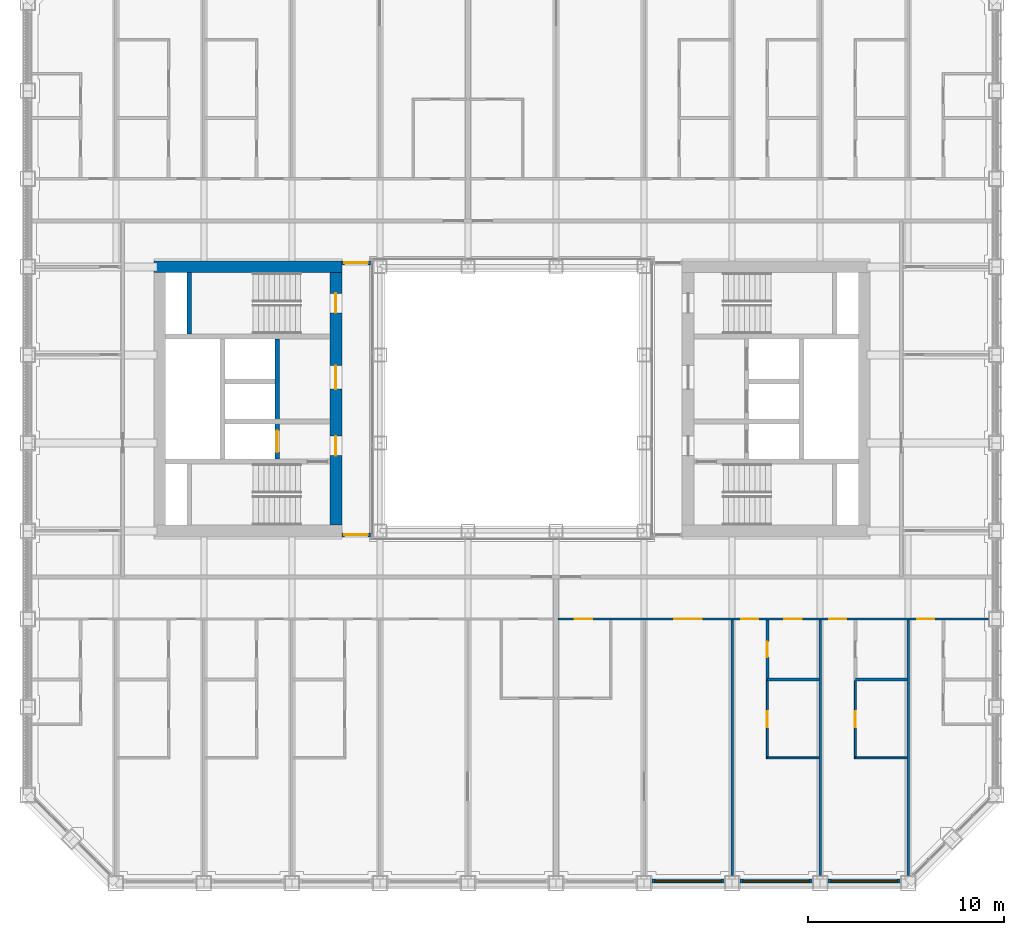
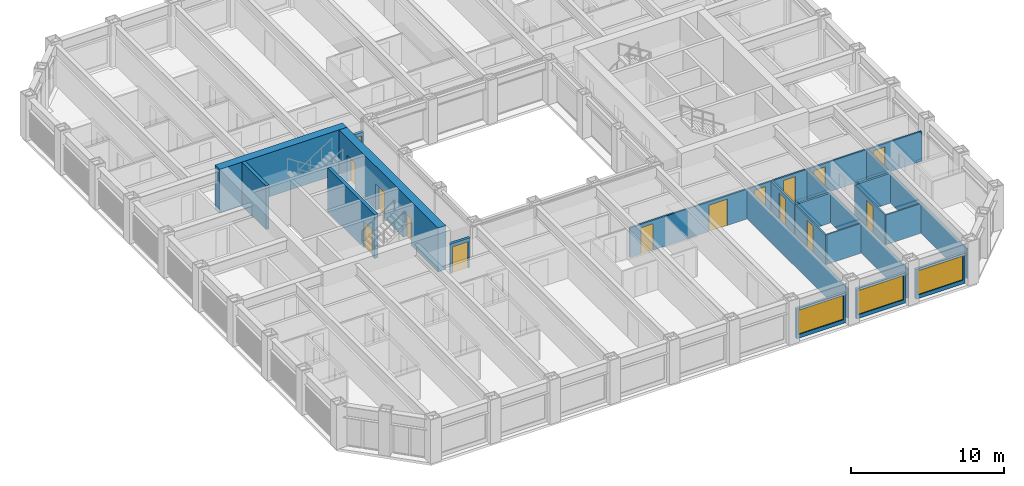
# One storey, part 11 of 21: 20 walls, 15 doors, 3 windows, 18 openings.
"""IFC4 building model written with IfcOpenShell, lengths in metres."""

from ifc_helpers import new_model, si_unit, direction, frame, frame_2d, origin, place, context, subcontext, project, spatial, rectangle, extrude, material, layer, layer_set, type_object, element, fill, save


model = new_model("IFC4")

# Units and contexts
model_context = context("Model", 3, precision=1e-05, world=origin(), true_north=direction((0.0, 1.0)))
body_context = subcontext(model_context, "Body", "Model", "MODEL_VIEW")
ifc_project = project(units=[si_unit("LENGTHUNIT", "METRE"), si_unit("AREAUNIT", "SQUARE_METRE"), si_unit("VOLUMEUNIT", "CUBIC_METRE"), si_unit("PLANEANGLEUNIT", "RADIAN"), si_unit("MASSUNIT", "GRAM", prefix="KILO")], contexts=[model_context])

# Site, building, storey
site_placement = place(None, origin())
site = spatial("IfcSite", under=ifc_project, at=site_placement, CompositionType="ELEMENT")
building_placement = place(site_placement, origin())
building = spatial("IfcBuilding", under=site, at=building_placement, Name="Msasa Ring Tower", CompositionType="ELEMENT")
storey_placement = place(building_placement, frame((0.0, 0.0, 86.0)))
storey = spatial("IfcBuildingStorey", under=building, at=storey_placement, Name="L22", CompositionType="ELEMENT", Elevation=86.0)

# Wall
ifc_material_1 = material(Name="Concrete C60/75", Category="concrete")
ifc_layer_1 = layer(ifc_material_1, 0.60009765625)
ifc_layer_set_1 = layer_set([ifc_layer_1], Name="CW1 CORE WALL 600")
wall_type_1 = type_object("IfcWallType", Name="CW1 CORE WALL 600", PredefinedType="SHEAR", material=ifc_layer_set_1)
wall_1_placement = place(storey_placement, frame((-8.699951171875, 6.75, 0.0), z_axis=(0.0, 0.0, 1.0), x_axis=(-1.0, 0.0, 0.0)))
element("IfcWall", 1, at=wall_1_placement, inside=storey, type_object=wall_type_1, Name="W core wall N L22", PredefinedType="SHEAR", context=body_context, shape_type="SweptSolid", body=[
    extrude(rectangle(XDim=9.60009765625, YDim=0.60009765625, at=frame_2d((4.800048828125, 0.0))), origin(), (0.0, 0.0, 1.0), 3.5),
])

# Wall, openings, doors
wall_2_placement = place(storey_placement, frame((-9.0, -6.449951171875, 0.0), z_axis=(0.0, 0.0, 1.0), x_axis=(0.0, 1.0, 0.0)))
wall_2 = element("IfcWall", 2, at=wall_2_placement, inside=storey, type_object=wall_type_1, Name="W core wall W L22", PredefinedType="SHEAR", context=body_context, shape_type="SweptSolid", body=[
    extrude(rectangle(XDim=12.89990234375, YDim=0.60009765625, at=frame_2d((6.449951171875, 0.0))), origin(), (0.0, 0.0, 1.0), 3.5),
])
opening_1_placement = place(wall_2_placement, frame((3.550048828125, 0.0, 0.0)))
opening_1 = element("IfcOpeningElement", 3, at=opening_1_placement, cuts=wall_2, Name="Opening RF-046", PredefinedType="OPENING", context=body_context, shape_type="SweptSolid", body=[
    extrude(rectangle(XDim=1.0, YDim=2.10009765625, at=frame_2d((0.5, 1.050048828125))), frame((0.0, 0.31005859375, 0.0), z_axis=(0.0, -1.0, 0.0), x_axis=(1.0, 0.0, 0.0)), (0.0, 0.0, 1.0), 0.6201171875),
])
opening_2_placement = place(wall_2_placement, frame((6.949951171875, 0.0, 0.0)))
opening_2 = element("IfcOpeningElement", 4, at=opening_2_placement, cuts=wall_2, Name="Opening RF-042", PredefinedType="OPENING", context=body_context, shape_type="SweptSolid", body=[
    extrude(rectangle(XDim=1.199951171875, YDim=2.10009765625, at=frame_2d((0.60009765625, 1.050048828125))), frame((0.0, 0.31005859375, 0.0), z_axis=(0.0, -1.0, 0.0), x_axis=(1.0, 0.0, 0.0)), (0.0, 0.0, 1.0), 0.6201171875),
])
opening_3_placement = place(wall_2_placement, frame((10.85009765625, 0.0, 0.0)))
opening_3 = element("IfcOpeningElement", 5, at=opening_3_placement, cuts=wall_2, Name="Opening RF-038", PredefinedType="OPENING", context=body_context, shape_type="SweptSolid", body=[
    extrude(rectangle(XDim=1.0, YDim=2.10009765625, at=frame_2d((0.5, 1.050048828125))), frame((0.0, 0.31005859375, 0.0), z_axis=(0.0, -1.0, 0.0), x_axis=(1.0, 0.0, 0.0)), (0.0, 0.0, 1.0), 0.6201171875),
])
ifc_material_2 = material(Name="Timber door leaf in a steel frame", Category="steel")
door_type_1 = type_object("IfcDoorType", Name="D26 WIDE SERVICE ROOM DOOR 1200x2100", OperationType="SINGLE_SWING_LEFT", PredefinedType="DOOR", material=ifc_material_2)
door_1_placement = place(opening_2_placement, origin())
door_1 = element("IfcDoor", 6, at=door_1_placement, inside=storey, type_object=door_type_1, Name="Door L22-WCR", OperationType="SINGLE_SWING_RIGHT", OverallHeight=2.10009765625, OverallWidth=1.199951171875, PredefinedType="DOOR", context=body_context, shape_type="SweptSolid", body=[
    extrude(rectangle(XDim=1.199951171875, YDim=2.10009765625, at=frame_2d((0.60009765625, 1.050048828125))), frame((0.0, 0.02490234375, 0.0), z_axis=(0.0, -1.0, 0.0), x_axis=(1.0, 0.0, 0.0)), (0.0, 0.0, 1.0), 0.050048828125),
])
fill(opening_2, door_1)
ifc_material_3 = material(Name="Timber door leaf in a steel frame", Category="steel")
door_type_2 = type_object("IfcDoorType", Name="D4 LOBBY DOOR 1000x2100", OperationType="SINGLE_SWING_LEFT", PredefinedType="DOOR", material=ifc_material_3)
door_2_placement = place(opening_1_placement, origin())
door_2 = element("IfcDoor", 7, at=door_2_placement, inside=storey, type_object=door_type_2, Name="Door L22-WFFL", OperationType="SINGLE_SWING_LEFT", OverallHeight=2.10009765625, OverallWidth=1.0, PredefinedType="DOOR", context=body_context, shape_type="SweptSolid", body=[
    extrude(rectangle(XDim=1.0, YDim=2.10009765625, at=frame_2d((0.5, 1.050048828125))), frame((0.0, 0.02490234375, 0.0), z_axis=(0.0, -1.0, 0.0), x_axis=(1.0, 0.0, 0.0)), (0.0, 0.0, 1.0), 0.050048828125),
])
fill(opening_1, door_2)
ifc_material_4 = material(Name="Timber door leaf in a steel frame", Category="steel")
door_type_3 = type_object("IfcDoorType", Name="D6 STAIR DOOR 1000x2100", OperationType="SINGLE_SWING_LEFT", PredefinedType="DOOR", material=ifc_material_4)
door_3_placement = place(opening_3_placement, origin())
door_3 = element("IfcDoor", 8, at=door_3_placement, inside=storey, type_object=door_type_3, Name="Door L22-WSTB", OperationType="SINGLE_SWING_RIGHT", OverallHeight=2.10009765625, OverallWidth=1.0, PredefinedType="DOOR", context=body_context, shape_type="SweptSolid", body=[
    extrude(rectangle(XDim=1.0, YDim=2.10009765625, at=frame_2d((0.5, 1.050048828125))), frame((0.0, 0.02490234375, 0.0), z_axis=(0.0, -1.0, 0.0), x_axis=(1.0, 0.0, 0.0)), (0.0, 0.0, 1.0), 0.050048828125),
])
fill(opening_3, door_3)

# Wall
ifc_material_5 = material(Name="Concrete C60/75", Category="concrete")
ifc_layer_2 = layer(ifc_material_5, 0.25)
ifc_layer_set_2 = layer_set([ifc_layer_2], Name="CW4 CORE INNER WALL 250")
wall_type_2 = type_object("IfcWallType", Name="CW4 CORE INNER WALL 250", PredefinedType="SHEAR", material=ifc_layer_set_2)
wall_3_placement = place(storey_placement, frame((-16.5, 3.324951171875, 0.0), z_axis=(0.0, 0.0, 1.0), x_axis=(0.0, 1.0, 0.0)))
element("IfcWall", 9, at=wall_3_placement, inside=storey, type_object=wall_type_2, Name="W core wall RISERB L22", PredefinedType="SHEAR", context=body_context, shape_type="SweptSolid", body=[
    extrude(rectangle(XDim=3.125, YDim=0.25, at=frame_2d((1.5625, 0.0))), origin(), (0.0, 0.0, 1.0), 3.5),
])

# Wall, opening, door
wall_4_placement = place(storey_placement, frame((-12.0, -3.074951171875, 0.0), z_axis=(0.0, 0.0, 1.0), x_axis=(0.0, 1.0, 0.0)))
wall_4 = element("IfcWall", 10, at=wall_4_placement, inside=storey, type_object=wall_type_2, Name="W core wall LOBBY L22", PredefinedType="SHEAR", context=body_context, shape_type="SweptSolid", body=[
    extrude(rectangle(XDim=6.14990234375, YDim=0.25, at=frame_2d((3.074951171875, 0.0))), origin(), (0.0, 0.0, 1.0), 3.5),
])
opening_4_placement = place(wall_4_placement, frame((0.35009765625, 0.0, 0.0)))
opening_4 = element("IfcOpeningElement", 11, at=opening_4_placement, cuts=wall_4, Name="Opening LD1", PredefinedType="OPENING", context=body_context, shape_type="SweptSolid", body=[
    extrude(rectangle(XDim=1.10009765625, YDim=2.10009765625, at=frame_2d((0.550048828125, 1.050048828125))), frame((0.0, 0.135009765625, 0.0), z_axis=(0.0, -1.0, 0.0), x_axis=(1.0, 0.0, 0.0)), (0.0, 0.0, 1.0), 0.27001953125),
])
ifc_material_6 = material(Name="Stainless steel lift landing door", Category="steel")
door_type_4 = type_object("IfcDoorType", Name="LD1 LIFT LANDING DOOR 1100x2100", OperationType="DOUBLE_DOOR_SLIDING", PredefinedType="DOOR", material=ifc_material_6)
door_4_placement = place(opening_4_placement, origin())
door_4 = element("IfcDoor", 12, at=door_4_placement, inside=storey, type_object=door_type_4, Name="Lift landing door FL-W L22", OperationType="DOUBLE_DOOR_SLIDING", OverallHeight=2.10009765625, OverallWidth=1.10009765625, PredefinedType="DOOR", context=body_context, shape_type="SweptSolid", body=[
    extrude(rectangle(XDim=1.10009765625, YDim=2.10009765625, at=frame_2d((0.550048828125, 1.050048828125))), frame((0.0, 0.02490234375, 0.0), z_axis=(0.0, -1.0, 0.0), x_axis=(1.0, 0.0, 0.0)), (0.0, 0.0, 1.0), 0.050048828125),
])
fill(opening_4, door_4)

# Wall, opening, window
ifc_material_7 = material(Name="Terracotta rainscreen on blockwork", Category="masonry")
ifc_layer_3 = layer(ifc_material_7, 0.199951171875)
ifc_layer_set_3 = layer_set([ifc_layer_3], Name="FW1 TERRACOTTA-LINED INFILL BAY WALL 200")
wall_type_3 = type_object("IfcWallType", Name="FW1 TERRACOTTA-LINED INFILL BAY WALL 200", PredefinedType="SOLIDWALL", material=ifc_layer_set_3)
wall_5_placement = place(storey_placement, frame((7.155029296875, -24.64990234375, 0.0), z_axis=(0.0, 0.0, 1.0), x_axis=(1.0, 0.0, 0.0)))
wall_5 = element("IfcWall", 13, at=wall_5_placement, inside=storey, type_object=wall_type_3, Name="Infill bay wall S L22 06", PredefinedType="SOLIDWALL", context=body_context, shape_type="SweptSolid", body=[
    extrude(rectangle(XDim=3.68994140625, YDim=0.199951171875, at=frame_2d((1.844970703125, 0.0))), origin(), (0.0, 0.0, 1.0), 2.37890625),
])
opening_5_placement = place(wall_5_placement, frame((0.14501953125, 0.0, 0.300048828125)))
opening_5 = element("IfcOpeningElement", 14, at=opening_5_placement, cuts=wall_5, Name="Opening WN1", PredefinedType="OPENING", context=body_context, shape_type="SweptSolid", body=[
    extrude(rectangle(XDim=3.39990234375, YDim=1.928955078125, at=frame_2d((1.699951171875, 0.96435546875))), frame((0.0, 0.10986328125, 0.0), z_axis=(0.0, -1.0, 0.0), x_axis=(1.0, 0.0, 0.0)), (0.0, 0.0, 1.0), 0.219970703125),
])
ifc_material_8 = material(Name="Aluminium frame with clear glass", Category="aluminium")
window_type = type_object("IfcWindowType", Name="WN1 RESIDENCE WINDOW 3400x1929", PartitioningType="SINGLE_PANEL", PredefinedType="WINDOW", material=ifc_material_8)
window_1_placement = place(opening_5_placement, origin())
window_1 = element("IfcWindow", 15, at=window_1_placement, inside=storey, type_object=window_type, Name="Window S L22 06", OverallHeight=1.928955078125, OverallWidth=3.39990234375, PartitioningType="SINGLE_PANEL", PredefinedType="WINDOW", context=body_context, shape_type="SweptSolid", body=[
    extrude(rectangle(XDim=3.39990234375, YDim=1.928955078125, at=frame_2d((1.699951171875, 0.96435546875))), frame((0.0, 0.030029296875, 0.0), z_axis=(0.0, -1.0, 0.0), x_axis=(1.0, 0.0, 0.0)), (0.0, 0.0, 1.0), 0.06005859375),
])
fill(opening_5, window_1)

wall_6_placement = place(storey_placement, frame((11.655029296875, -24.64990234375, 0.0), z_axis=(0.0, 0.0, 1.0), x_axis=(1.0, 0.0, 0.0)))
wall_6 = element("IfcWall", 16, at=wall_6_placement, inside=storey, type_object=wall_type_3, Name="Infill bay wall S L22 07", PredefinedType="SOLIDWALL", context=body_context, shape_type="SweptSolid", body=[
    extrude(rectangle(XDim=3.68994140625, YDim=0.199951171875, at=frame_2d((1.844970703125, 0.0))), origin(), (0.0, 0.0, 1.0), 2.37890625),
])
opening_6_placement = place(wall_6_placement, frame((0.14501953125, 0.0, 0.300048828125)))
opening_6 = element("IfcOpeningElement", 17, at=opening_6_placement, cuts=wall_6, Name="Opening WN1", PredefinedType="OPENING", context=body_context, shape_type="SweptSolid", body=[
    extrude(rectangle(XDim=3.39990234375, YDim=1.928955078125, at=frame_2d((1.699951171875, 0.96435546875))), frame((0.0, 0.10986328125, 0.0), z_axis=(0.0, -1.0, 0.0), x_axis=(1.0, 0.0, 0.0)), (0.0, 0.0, 1.0), 0.219970703125),
])
window_2_placement = place(opening_6_placement, origin())
window_2 = element("IfcWindow", 18, at=window_2_placement, inside=storey, type_object=window_type, Name="Window S L22 07", OverallHeight=1.928955078125, OverallWidth=3.39990234375, PartitioningType="SINGLE_PANEL", PredefinedType="WINDOW", context=body_context, shape_type="SweptSolid", body=[
    extrude(rectangle(XDim=3.39990234375, YDim=1.928955078125, at=frame_2d((1.699951171875, 0.96435546875))), frame((0.0, 0.030029296875, 0.0), z_axis=(0.0, -1.0, 0.0), x_axis=(1.0, 0.0, 0.0)), (0.0, 0.0, 1.0), 0.06005859375),
])
fill(opening_6, window_2)

wall_7_placement = place(storey_placement, frame((16.155029296875, -24.64990234375, 0.0), z_axis=(0.0, 0.0, 1.0), x_axis=(1.0, 0.0, 0.0)))
wall_7 = element("IfcWall", 19, at=wall_7_placement, inside=storey, type_object=wall_type_3, Name="Infill bay wall S L22 08", PredefinedType="SOLIDWALL", context=body_context, shape_type="SweptSolid", body=[
    extrude(rectangle(XDim=3.68994140625, YDim=0.199951171875, at=frame_2d((1.844970703125, 0.0))), origin(), (0.0, 0.0, 1.0), 2.37890625),
])
opening_7_placement = place(wall_7_placement, frame((0.14501953125, 0.0, 0.300048828125)))
opening_7 = element("IfcOpeningElement", 20, at=opening_7_placement, cuts=wall_7, Name="Opening WN1", PredefinedType="OPENING", context=body_context, shape_type="SweptSolid", body=[
    extrude(rectangle(XDim=3.39990234375, YDim=1.928955078125, at=frame_2d((1.699951171875, 0.96435546875))), frame((0.0, 0.10986328125, 0.0), z_axis=(0.0, -1.0, 0.0), x_axis=(1.0, 0.0, 0.0)), (0.0, 0.0, 1.0), 0.219970703125),
])
window_3_placement = place(opening_7_placement, origin())
window_3 = element("IfcWindow", 21, at=window_3_placement, inside=storey, type_object=window_type, Name="Window S L22 08", OverallHeight=1.928955078125, OverallWidth=3.39990234375, PartitioningType="SINGLE_PANEL", PredefinedType="WINDOW", context=body_context, shape_type="SweptSolid", body=[
    extrude(rectangle(XDim=3.39990234375, YDim=1.928955078125, at=frame_2d((1.699951171875, 0.96435546875))), frame((0.0, 0.030029296875, 0.0), z_axis=(0.0, -1.0, 0.0), x_axis=(1.0, 0.0, 0.0)), (0.0, 0.0, 1.0), 0.06005859375),
])
fill(opening_7, window_3)

# Wall, opening, door
ifc_material_9 = material(Name="Concrete blockwork", Category="masonry")
ifc_layer_4 = layer(ifc_material_9, 0.199951171875)
ifc_layer_set_4 = layer_set([ifc_layer_4], Name="PT1 CORRIDOR WALL 200")
wall_type_4 = type_object("IfcWallType", Name="PT1 CORRIDOR WALL 200", PredefinedType="PARTITIONING", material=ifc_layer_set_4)
wall_8_placement = place(storey_placement, frame((-8.699951171875, 6.949951171875, 0.0), z_axis=(0.0, 0.0, 1.0), x_axis=(1.0, 0.0, 0.0)))
wall_8 = element("IfcWall", 22, at=wall_8_placement, inside=storey, type_object=wall_type_4, Name="Corridor wall L22-SDWN", PredefinedType="PARTITIONING", context=body_context, shape_type="SweptSolid", body=[
    extrude(rectangle(XDim=1.469970703125, YDim=0.199951171875, at=frame_2d((0.73486328125, 0.0))), origin(), (0.0, 0.0, 1.0), 2.373291015625),
])
opening_8_placement = place(wall_8_placement, frame((0.135009765625, 0.0, 0.0)))
opening_8 = element("IfcOpeningElement", 23, at=opening_8_placement, cuts=wall_8, Name="Opening RF-034", PredefinedType="OPENING", context=body_context, shape_type="SweptSolid", body=[
    extrude(rectangle(XDim=1.199951171875, YDim=2.10009765625, at=frame_2d((0.60009765625, 1.050048828125))), frame((0.0, 0.10986328125, 0.0), z_axis=(0.0, -1.0, 0.0), x_axis=(1.0, 0.0, 0.0)), (0.0, 0.0, 1.0), 0.219970703125),
])
ifc_material_10 = material(Name="Timber door leaf in a steel frame", Category="steel")
door_type_5 = type_object("IfcDoorType", Name="D25 CORRIDOR PAIR OF SMOKE DOORS 1200x2100", OperationType="DOUBLE_DOOR_DOUBLE_SWING", PredefinedType="DOOR", material=ifc_material_10)
door_5_placement = place(opening_8_placement, origin())
door_5 = element("IfcDoor", 24, at=door_5_placement, inside=storey, type_object=door_type_5, Name="Door L22-SDWN", OperationType="DOUBLE_DOOR_DOUBLE_SWING", OverallHeight=2.10009765625, OverallWidth=1.199951171875, PredefinedType="DOOR", context=body_context, shape_type="SweptSolid", body=[
    extrude(rectangle(XDim=1.199951171875, YDim=2.10009765625, at=frame_2d((0.60009765625, 1.050048828125))), frame((0.0, 0.02490234375, 0.0), z_axis=(0.0, -1.0, 0.0), x_axis=(1.0, 0.0, 0.0)), (0.0, 0.0, 1.0), 0.050048828125),
])
fill(opening_8, door_5)

wall_9_placement = place(storey_placement, frame((-8.699951171875, -6.949951171875, 0.0), z_axis=(0.0, 0.0, 1.0), x_axis=(1.0, 0.0, 0.0)))
wall_9 = element("IfcWall", 25, at=wall_9_placement, inside=storey, type_object=wall_type_4, Name="Corridor wall L22-SDWS", PredefinedType="PARTITIONING", context=body_context, shape_type="SweptSolid", body=[
    extrude(rectangle(XDim=1.469970703125, YDim=0.199951171875, at=frame_2d((0.73486328125, 0.0))), origin(), (0.0, 0.0, 1.0), 2.373291015625),
])
opening_9_placement = place(wall_9_placement, frame((0.135009765625, 0.0, 0.0)))
opening_9 = element("IfcOpeningElement", 26, at=opening_9_placement, cuts=wall_9, Name="Opening RF-052", PredefinedType="OPENING", context=body_context, shape_type="SweptSolid", body=[
    extrude(rectangle(XDim=1.199951171875, YDim=2.10009765625, at=frame_2d((0.60009765625, 1.050048828125))), frame((0.0, 0.10986328125, 0.0), z_axis=(0.0, -1.0, 0.0), x_axis=(1.0, 0.0, 0.0)), (0.0, 0.0, 1.0), 0.219970703125),
])
door_6_placement = place(opening_9_placement, origin())
door_6 = element("IfcDoor", 27, at=door_6_placement, inside=storey, type_object=door_type_5, Name="Door L22-SDWS", OperationType="DOUBLE_DOOR_DOUBLE_SWING", OverallHeight=2.10009765625, OverallWidth=1.199951171875, PredefinedType="DOOR", context=body_context, shape_type="SweptSolid", body=[
    extrude(rectangle(XDim=1.199951171875, YDim=2.10009765625, at=frame_2d((0.60009765625, 1.050048828125))), frame((0.0, 0.02490234375, 0.0), z_axis=(0.0, -1.0, 0.0), x_axis=(1.0, 0.0, 0.0)), (0.0, 0.0, 1.0), 0.050048828125),
])
fill(opening_9, door_6)

ifc_material_11 = material(Name="Gypsum board on steel studs", Category="steel")
ifc_layer_5 = layer(ifc_material_11, 0.10009765625)
ifc_layer_set_5 = layer_set([ifc_layer_5], Name="PT2 STUD PARTITION 100")
wall_type_5 = type_object("IfcWallType", Name="PT2 STUD PARTITION 100", PredefinedType="PARTITIONING", material=ifc_layer_set_5)
wall_10_placement = place(storey_placement, frame((13.050048828125, -18.403076171875, 0.0), z_axis=(0.0, 0.0, 1.0), x_axis=(0.0, 1.0, 0.0)))
wall_10 = element("IfcWall", 28, at=wall_10_placement, inside=storey, type_object=wall_type_5, Name="Partition L22-VSEWX1", PredefinedType="PARTITIONING", context=body_context, shape_type="SweptSolid", body=[
    extrude(rectangle(XDim=4.003173828125, YDim=0.10009765625, at=frame_2d((2.00146484375, 0.0))), origin(), (0.0, 0.0, 1.0), 2.373291015625),
])
opening_10_placement = place(wall_10_placement, frame((1.626708984375, 0.0, 0.0)))
opening_10 = element("IfcOpeningElement", 29, at=opening_10_placement, cuts=wall_10, Name="Opening RF-083", PredefinedType="OPENING", context=body_context, shape_type="SweptSolid", body=[
    extrude(rectangle(XDim=0.800048828125, YDim=2.10009765625, at=frame_2d((0.39990234375, 1.050048828125))), frame((0.0, 0.06005859375, 0.0), z_axis=(0.0, -1.0, 0.0), x_axis=(1.0, 0.0, 0.0)), (0.0, 0.0, 1.0), 0.1201171875),
])
ifc_material_12 = material(Name="Timber door leaf in a steel frame", Category="steel")
door_type_6 = type_object("IfcDoorType", Name="D60 DRESSING ROOM DOOR 800x2100", OperationType="SINGLE_SWING_LEFT", PredefinedType="DOOR", material=ifc_material_12)
door_7_placement = place(opening_10_placement, origin())
door_7 = element("IfcDoor", 30, at=door_7_placement, inside=storey, type_object=door_type_6, Name="Door L22-VSEW1", OperationType="SINGLE_SWING_LEFT", OverallHeight=2.10009765625, OverallWidth=0.800048828125, PredefinedType="DOOR", context=body_context, shape_type="SweptSolid", body=[
    extrude(rectangle(XDim=0.800048828125, YDim=2.10009765625, at=frame_2d((0.39990234375, 1.050048828125))), frame((0.0, 0.02490234375, 0.0), z_axis=(0.0, -1.0, 0.0), x_axis=(1.0, 0.0, 0.0)), (0.0, 0.0, 1.0), 0.050048828125),
])
fill(opening_10, door_7)

# Wall
wall_11_placement = place(storey_placement, frame((13.050048828125, -18.35302734375, 0.0), z_axis=(0.0, 0.0, 1.0), x_axis=(1.0, 0.0, 0.0)))
element("IfcWall", 31, at=wall_11_placement, inside=storey, type_object=wall_type_5, Name="Partition L22-VSEWY1", PredefinedType="PARTITIONING", context=body_context, shape_type="SweptSolid", body=[
    extrude(rectangle(XDim=2.639892578125, YDim=0.10009765625, at=frame_2d((1.31982421875, 0.0))), origin(), (0.0, 0.0, 1.0), 2.373291015625),
])

# Wall, opening, door
wall_12_placement = place(storey_placement, frame((17.550048828125, -18.400390625, 0.0), z_axis=(0.0, 0.0, 1.0), x_axis=(0.0, 1.0, 0.0)))
wall_12 = element("IfcWall", 32, at=wall_12_placement, inside=storey, type_object=wall_type_5, Name="Partition L22-VSEWX2", PredefinedType="PARTITIONING", context=body_context, shape_type="SweptSolid", body=[
    extrude(rectangle(XDim=4.00048828125, YDim=0.10009765625, at=frame_2d((2.000244140625, 0.0))), origin(), (0.0, 0.0, 1.0), 2.373291015625),
])
opening_11_placement = place(wall_12_placement, frame((1.625244140625, 0.0, 0.0)))
opening_11 = element("IfcOpeningElement", 33, at=opening_11_placement, cuts=wall_12, Name="Opening RF-084", PredefinedType="OPENING", context=body_context, shape_type="SweptSolid", body=[
    extrude(rectangle(XDim=0.800048828125, YDim=2.10009765625, at=frame_2d((0.39990234375, 1.050048828125))), frame((0.0, 0.06005859375, 0.0), z_axis=(0.0, -1.0, 0.0), x_axis=(1.0, 0.0, 0.0)), (0.0, 0.0, 1.0), 0.1201171875),
])
door_8_placement = place(opening_11_placement, origin())
door_8 = element("IfcDoor", 34, at=door_8_placement, inside=storey, type_object=door_type_6, Name="Door L22-VSEW2", OperationType="SINGLE_SWING_LEFT", OverallHeight=2.10009765625, OverallWidth=0.800048828125, PredefinedType="DOOR", context=body_context, shape_type="SweptSolid", body=[
    extrude(rectangle(XDim=0.800048828125, YDim=2.10009765625, at=frame_2d((0.39990234375, 1.050048828125))), frame((0.0, 0.02490234375, 0.0), z_axis=(0.0, -1.0, 0.0), x_axis=(1.0, 0.0, 0.0)), (0.0, 0.0, 1.0), 0.050048828125),
])
fill(opening_11, door_8)

# Wall
wall_13_placement = place(storey_placement, frame((17.550048828125, -18.350341796875, 0.0), z_axis=(0.0, 0.0, 1.0), x_axis=(1.0, 0.0, 0.0)))
element("IfcWall", 35, at=wall_13_placement, inside=storey, type_object=wall_type_5, Name="Partition L22-VSEWY2", PredefinedType="PARTITIONING", context=body_context, shape_type="SweptSolid", body=[
    extrude(rectangle(XDim=2.639892578125, YDim=0.10009765625, at=frame_2d((1.31982421875, 0.0))), origin(), (0.0, 0.0, 1.0), 2.373291015625),
])

# Wall, opening, door
ifc_material_13 = material(Name="Moisture-resistant board on steel studs with a concealed cistern and pipe void, tiled", Category="steel")
ifc_layer_6 = layer(ifc_material_13, 0.14990234375)
ifc_layer_set_6 = layer_set([ifc_layer_6], Name="PT4 BATHROOM WET WALL 150")
wall_type_6 = type_object("IfcWallType", Name="PT4 BATHROOM WET WALL 150", PredefinedType="PARTITIONING", material=ifc_layer_set_6)
wall_14_placement = place(storey_placement, frame((13.050048828125, -14.39990234375, 0.0), z_axis=(0.0, 0.0, 1.0), x_axis=(0.0, 1.0, 0.0)))
wall_14 = element("IfcWall", 36, at=wall_14_placement, inside=storey, type_object=wall_type_6, Name="Partition L22-VSEBX1", PredefinedType="PARTITIONING", context=body_context, shape_type="SweptSolid", body=[
    extrude(rectangle(XDim=3.08740234375, YDim=0.14990234375, at=frame_2d((1.543701171875, 0.0))), origin(), (0.0, 0.0, 1.0), 2.373291015625),
])
opening_12_placement = place(wall_14_placement, frame((1.199951171875, 0.0, 0.0)))
opening_12 = element("IfcOpeningElement", 37, at=opening_12_placement, cuts=wall_14, Name="Opening RF-073", PredefinedType="OPENING", context=body_context, shape_type="SweptSolid", body=[
    extrude(rectangle(XDim=0.800048828125, YDim=2.10009765625, at=frame_2d((0.39990234375, 1.050048828125))), frame((0.0, 0.0849609375, 0.0), z_axis=(0.0, -1.0, 0.0), x_axis=(1.0, 0.0, 0.0)), (0.0, 0.0, 1.0), 0.169921875),
])
ifc_material_14 = material(Name="Timber door leaf in a steel frame", Category="steel")
door_type_7 = type_object("IfcDoorType", Name="D21 POCKET SLIDING BATHROOM DOOR 800x2100", OperationType="SINGLE_SWING_LEFT", PredefinedType="DOOR", material=ifc_material_14)
door_9_placement = place(opening_12_placement, origin())
door_9 = element("IfcDoor", 38, at=door_9_placement, inside=storey, type_object=door_type_7, Name="Door L22-VSEB1", OperationType="SINGLE_SWING_RIGHT", OverallHeight=2.10009765625, OverallWidth=0.800048828125, PredefinedType="DOOR", context=body_context, shape_type="SweptSolid", body=[
    extrude(rectangle(XDim=0.800048828125, YDim=2.10009765625, at=frame_2d((0.39990234375, 1.050048828125))), frame((0.0, 0.02490234375, 0.0), z_axis=(0.0, -1.0, 0.0), x_axis=(1.0, 0.0, 0.0)), (0.0, 0.0, 1.0), 0.050048828125),
])
fill(opening_12, door_9)

# Walls
for number, where, z_axis, x_axis, name in (
    (39, (13.050048828125, -14.35009765625, 0.0), (0.0, 0.0, 1.0), (1.0, 0.0, 0.0), "Partition L22-VSEBY1"),
    (40, (17.550048828125, -14.35009765625, 0.0), (0.0, 0.0, 1.0), (1.0, 0.0, 0.0), "Partition L22-VSEBY2"),
):
    element("IfcWall", number, at=place(storey_placement, frame(where, z_axis=z_axis, x_axis=x_axis)), inside=storey, type_object=wall_type_6, Name=name, PredefinedType="PARTITIONING", context=body_context, shape_type="SweptSolid", body=[
        extrude(rectangle(XDim=2.639892578125, YDim=0.14990234375, at=frame_2d((1.31982421875, 0.0))), origin(), (0.0, 0.0, 1.0), 2.373291015625),
    ])

# Wall, openings, doors
ifc_material_15 = material(Name="Two layers of acoustic board each face on steel studs, mineral wool", Category="steel")
ifc_layer_7 = layer(ifc_material_15, 0.125)
ifc_layer_set_7 = layer_set([ifc_layer_7], Name="PT6 ACOUSTIC DOUBLE-BOARD PARTITION 125")
wall_type_7 = type_object("IfcWallType", Name="PT6 ACOUSTIC DOUBLE-BOARD PARTITION 125", PredefinedType="PARTITIONING", material=ifc_layer_set_7)
wall_15_placement = place(storey_placement, frame((2.35009765625, -11.25, 0.0), z_axis=(0.0, 0.0, 1.0), x_axis=(1.0, 0.0, 0.0)))
wall_15 = element("IfcWall", 41, at=wall_15_placement, inside=storey, type_object=wall_type_7, Name="Partition L22-VSEHY", PredefinedType="PARTITIONING", context=body_context, shape_type="SweptSolid", body=[
    extrude(rectangle(XDim=22.0, YDim=0.125, at=frame_2d((11.0, 0.0))), origin(), (0.0, 0.0, 1.0), 2.373291015625),
])
opening_13_placement = place(wall_15_placement, frame((0.85009765625, 0.0, 0.0)))
opening_13 = element("IfcOpeningElement", 42, at=opening_13_placement, cuts=wall_15, Name="Opening RF-063", PredefinedType="OPENING", context=body_context, shape_type="SweptSolid", body=[
    extrude(rectangle(XDim=0.89990234375, YDim=2.10009765625, at=frame_2d((0.449951171875, 1.050048828125))), frame((0.0, 0.072509765625, 0.0), z_axis=(0.0, -1.0, 0.0), x_axis=(1.0, 0.0, 0.0)), (0.0, 0.0, 1.0), 0.14501953125),
])
opening_14_placement = place(wall_15_placement, frame((5.949951171875, 0.0, 0.0)))
opening_14 = element("IfcOpeningElement", 43, at=opening_14_placement, cuts=wall_15, Name="Opening RF-064", PredefinedType="OPENING", context=body_context, shape_type="SweptSolid", body=[
    extrude(rectangle(XDim=1.39990234375, YDim=2.10009765625, at=frame_2d((0.699951171875, 1.050048828125))), frame((0.0, 0.072509765625, 0.0), z_axis=(0.0, -1.0, 0.0), x_axis=(1.0, 0.0, 0.0)), (0.0, 0.0, 1.0), 0.14501953125),
])
opening_15_placement = place(wall_15_placement, frame((9.375, 0.0, 0.0)))
opening_15 = element("IfcOpeningElement", 44, at=opening_15_placement, cuts=wall_15, Name="Opening RF-065", PredefinedType="OPENING", context=body_context, shape_type="SweptSolid", body=[
    extrude(rectangle(XDim=0.85009765625, YDim=2.10009765625, at=frame_2d((0.425048828125, 1.050048828125))), frame((0.0, 0.072509765625, 0.0), z_axis=(0.0, -1.0, 0.0), x_axis=(1.0, 0.0, 0.0)), (0.0, 0.0, 1.0), 0.14501953125),
])
opening_16_placement = place(wall_15_placement, frame((11.570068359375, 0.0, 0.0)))
opening_16 = element("IfcOpeningElement", 45, at=opening_16_placement, cuts=wall_15, Name="Opening RF-066", PredefinedType="OPENING", context=body_context, shape_type="SweptSolid", body=[
    extrude(rectangle(XDim=0.89990234375, YDim=2.10009765625, at=frame_2d((0.449951171875, 1.050048828125))), frame((0.0, 0.072509765625, 0.0), z_axis=(0.0, -1.0, 0.0), x_axis=(1.0, 0.0, 0.0)), (0.0, 0.0, 1.0), 0.14501953125),
])
opening_17_placement = place(wall_15_placement, frame((13.875, 0.0, 0.0)))
opening_17 = element("IfcOpeningElement", 46, at=opening_17_placement, cuts=wall_15, Name="Opening RF-067", PredefinedType="OPENING", context=body_context, shape_type="SweptSolid", body=[
    extrude(rectangle(XDim=0.85009765625, YDim=2.10009765625, at=frame_2d((0.425048828125, 1.050048828125))), frame((0.0, 0.072509765625, 0.0), z_axis=(0.0, -1.0, 0.0), x_axis=(1.0, 0.0, 0.0)), (0.0, 0.0, 1.0), 0.14501953125),
])
opening_18_placement = place(wall_15_placement, frame((18.375, 0.0, 0.0)))
opening_18 = element("IfcOpeningElement", 47, at=opening_18_placement, cuts=wall_15, Name="Opening RF-068", PredefinedType="OPENING", context=body_context, shape_type="SweptSolid", body=[
    extrude(rectangle(XDim=0.85009765625, YDim=2.10009765625, at=frame_2d((0.425048828125, 1.050048828125))), frame((0.0, 0.072509765625, 0.0), z_axis=(0.0, -1.0, 0.0), x_axis=(1.0, 0.0, 0.0)), (0.0, 0.0, 1.0), 0.14501953125),
])
ifc_material_16 = material(Name="Timber door leaf in a steel frame", Category="steel")
door_type_8 = type_object("IfcDoorType", Name="D14 BEDROOM DOOR 850x2100", OperationType="SINGLE_SWING_LEFT", PredefinedType="DOOR", material=ifc_material_16)
door_10_placement = place(opening_15_placement, origin())
door_10 = element("IfcDoor", 48, at=door_10_placement, inside=storey, type_object=door_type_8, Name="Door L22-VSER1", OperationType="SINGLE_SWING_LEFT", OverallHeight=2.10009765625, OverallWidth=0.85009765625, PredefinedType="DOOR", context=body_context, shape_type="SweptSolid", body=[
    extrude(rectangle(XDim=0.85009765625, YDim=2.10009765625, at=frame_2d((0.425048828125, 1.050048828125))), frame((0.0, 0.02490234375, 0.0), z_axis=(0.0, -1.0, 0.0), x_axis=(1.0, 0.0, 0.0)), (0.0, 0.0, 1.0), 0.050048828125),
])
fill(opening_15, door_10)
door_11_placement = place(opening_17_placement, origin())
door_11 = element("IfcDoor", 49, at=door_11_placement, inside=storey, type_object=door_type_8, Name="Door L22-VSER2", OperationType="SINGLE_SWING_RIGHT", OverallHeight=2.10009765625, OverallWidth=0.85009765625, PredefinedType="DOOR", context=body_context, shape_type="SweptSolid", body=[
    extrude(rectangle(XDim=0.85009765625, YDim=2.10009765625, at=frame_2d((0.425048828125, 1.050048828125))), frame((0.0, 0.02490234375, 0.0), z_axis=(0.0, -1.0, 0.0), x_axis=(1.0, 0.0, 0.0)), (0.0, 0.0, 1.0), 0.050048828125),
])
fill(opening_17, door_11)
door_12_placement = place(opening_18_placement, origin())
door_12 = element("IfcDoor", 50, at=door_12_placement, inside=storey, type_object=door_type_8, Name="Door L22-VSER3", OperationType="SINGLE_SWING_RIGHT", OverallHeight=2.10009765625, OverallWidth=0.85009765625, PredefinedType="DOOR", context=body_context, shape_type="SweptSolid", body=[
    extrude(rectangle(XDim=0.85009765625, YDim=2.10009765625, at=frame_2d((0.425048828125, 1.050048828125))), frame((0.0, 0.02490234375, 0.0), z_axis=(0.0, -1.0, 0.0), x_axis=(1.0, 0.0, 0.0)), (0.0, 0.0, 1.0), 0.050048828125),
])
fill(opening_18, door_12)
ifc_material_17 = material(Name="Timber door leaf in a steel frame", Category="steel")
door_type_9 = type_object("IfcDoorType", Name="D15 LIVING ROOM PAIR OF GLAZED DOORS 1400x2100", OperationType="SINGLE_SWING_LEFT", PredefinedType="DOOR", material=ifc_material_17)
door_13_placement = place(opening_14_placement, origin())
door_13 = element("IfcDoor", 51, at=door_13_placement, inside=storey, type_object=door_type_9, Name="Door L22-VSEL", OperationType="SINGLE_SWING_LEFT", OverallHeight=2.10009765625, OverallWidth=1.39990234375, PredefinedType="DOOR", context=body_context, shape_type="SweptSolid", body=[
    extrude(rectangle(XDim=1.39990234375, YDim=2.10009765625, at=frame_2d((0.699951171875, 1.050048828125))), frame((0.0, 0.02490234375, 0.0), z_axis=(0.0, -1.0, 0.0), x_axis=(1.0, 0.0, 0.0)), (0.0, 0.0, 1.0), 0.050048828125),
])
fill(opening_14, door_13)
ifc_material_18 = material(Name="Timber door leaf in a steel frame", Category="steel")
door_type_10 = type_object("IfcDoorType", Name="D22 INTERNAL HALL DOOR 900x2100", OperationType="SINGLE_SWING_LEFT", PredefinedType="DOOR", material=ifc_material_18)
door_14_placement = place(opening_13_placement, origin())
door_14 = element("IfcDoor", 52, at=door_14_placement, inside=storey, type_object=door_type_10, Name="Door L22-VSEK", OperationType="SINGLE_SWING_LEFT", OverallHeight=2.10009765625, OverallWidth=0.89990234375, PredefinedType="DOOR", context=body_context, shape_type="SweptSolid", body=[
    extrude(rectangle(XDim=0.89990234375, YDim=2.10009765625, at=frame_2d((0.449951171875, 1.050048828125))), frame((0.0, 0.02490234375, 0.0), z_axis=(0.0, -1.0, 0.0), x_axis=(1.0, 0.0, 0.0)), (0.0, 0.0, 1.0), 0.050048828125),
])
fill(opening_13, door_14)
ifc_material_19 = material(Name="Timber door leaf in a steel frame", Category="steel")
door_type_11 = type_object("IfcDoorType", Name="D3 BATHROOM DOOR 900x2100", OperationType="SINGLE_SWING_LEFT", PredefinedType="DOOR", material=ifc_material_19)
door_15_placement = place(opening_16_placement, origin())
door_15 = element("IfcDoor", 53, at=door_15_placement, inside=storey, type_object=door_type_11, Name="Door L22-VSEBH1", OperationType="SINGLE_SWING_RIGHT", OverallHeight=2.10009765625, OverallWidth=0.89990234375, PredefinedType="DOOR", context=body_context, shape_type="SweptSolid", body=[
    extrude(rectangle(XDim=0.89990234375, YDim=2.10009765625, at=frame_2d((0.449951171875, 1.050048828125))), frame((0.0, 0.02490234375, 0.0), z_axis=(0.0, -1.0, 0.0), x_axis=(1.0, 0.0, 0.0)), (0.0, 0.0, 1.0), 0.050048828125),
])
fill(opening_16, door_15)

# Walls
for number, where, z_axis, x_axis, name in (
    (54, (11.25, -24.35009765625, 0.0), (0.0, 0.0, 1.0), (0.0, 1.0, 0.0), "Partition L22-VSEP1"),
    (55, (15.75, -24.35009765625, 0.0), (0.0, 0.0, 1.0), (0.0, 1.0, 0.0), "Partition L22-VSEP2"),
    (56, (20.25, -24.35009765625, 0.0), (0.0, 0.0, 1.0), (0.0, 1.0, 0.0), "Partition L22-VSEP3"),
):
    element("IfcWall", number, at=place(storey_placement, frame(where, z_axis=z_axis, x_axis=x_axis)), inside=storey, type_object=wall_type_7, Name=name, PredefinedType="PARTITIONING", context=body_context, shape_type="SweptSolid", body=[
        extrude(rectangle(XDim=13.03759765625, YDim=0.125, at=frame_2d((6.518798828125, 0.0))), origin(), (0.0, 0.0, 1.0), 2.373291015625),
    ])

save(model, "model.ifc")
